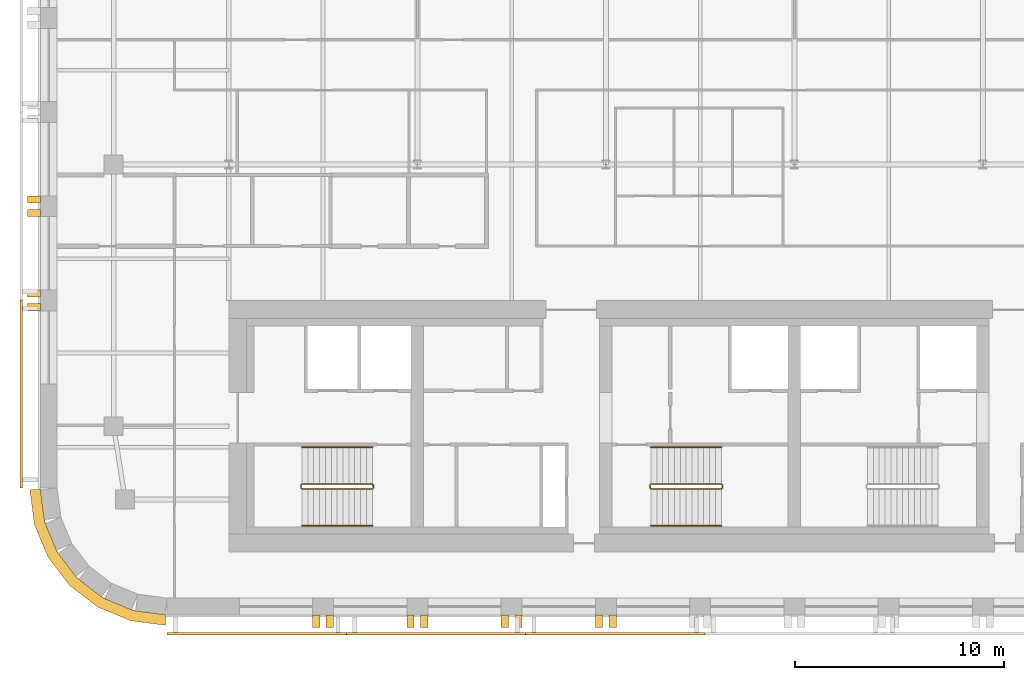
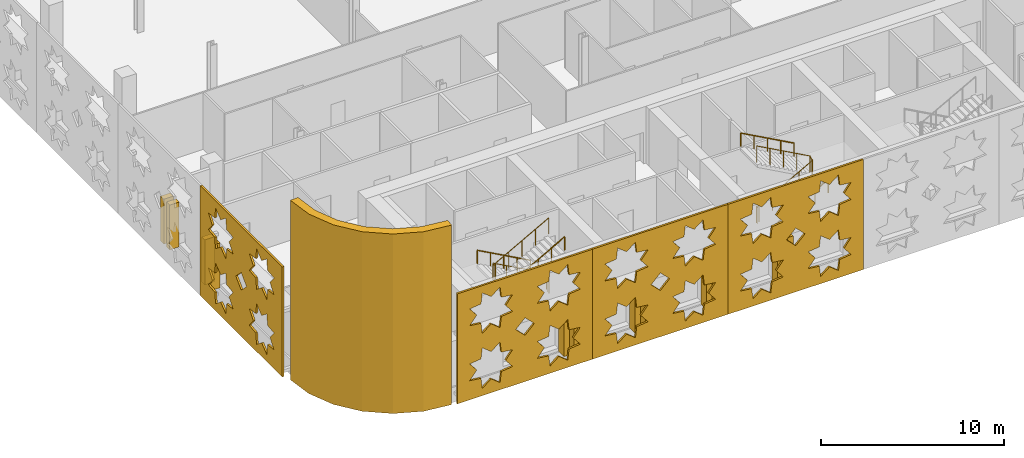
# One storey, part 10 of 14: 17 coverings, 6 railings.
"""IFC4 building model written with IfcOpenShell, lengths in metres."""

from ifc_helpers import new_model, si_unit, direction, frame, origin, origin_2d, place, context, subcontext, project, spatial, polyline, circle, outline, extrude, material, layer, layer_set, type_object, element, save


model = new_model("IFC4")

# Units and contexts
model_context = context("Model", 3, precision=1e-05, world=origin(), true_north=direction((0.0, 1.0)))
body_context = subcontext(model_context, "Body", "Model", "MODEL_VIEW")
ifc_project = project(units=[si_unit("LENGTHUNIT", "METRE"), si_unit("AREAUNIT", "SQUARE_METRE"), si_unit("VOLUMEUNIT", "CUBIC_METRE"), si_unit("PLANEANGLEUNIT", "RADIAN"), si_unit("MASSUNIT", "GRAM", prefix="KILO")], contexts=[model_context])

# Site, building, storey
site_placement = place(None, origin())
site = spatial("IfcSite", under=ifc_project, at=site_placement, CompositionType="ELEMENT")
building_placement = place(site_placement, origin())
building = spatial("IfcBuilding", under=site, at=building_placement, Name="Zellij Exchange Tower", CompositionType="ELEMENT")
storey_placement = place(building_placement, frame((0.0, 0.0, 188.5)))
storey = spatial("IfcBuildingStorey", under=building, at=storey_placement, Name="L43", CompositionType="ELEMENT", Elevation=188.5)

# Railings
ifc_material_1 = material(Name="Stainless steel", Category="steel")
railing_type_1 = type_object("IfcRailingType", Name="CORE-RG stair guard", PredefinedType="GUARDRAIL", material=ifc_material_1)
railing_1_placement = place(storey_placement, frame((-20.10009765625, -10.800048828125, 0.0)))
element("IfcRailing", 1, at=railing_1_placement, inside=storey, type_object=railing_type_1, Name="ST1 stair guard L43", PredefinedType="GUARDRAIL", context=body_context, shape_type="SweptSolid", body=[
    extrude(circle(Radius=0.02392578125, at=origin_2d()), frame((0.0, 0.0, 1.076171875), z_axis=(0.0, -1.0, 0.0), x_axis=(1.0, 0.0, 0.0)), (0.0, 0.0, 1.0), 0.14990234375),
    extrude(circle(Radius=0.02392578125, at=origin_2d()), frame((0.0, -0.14990234375, 1.076171875), z_axis=(-0.193691321961, 0.777613689637, 0.598164376644), x_axis=(-0.970351222016, -0.241699205484, 0.0)), (0.0, 0.0, 1.0), 0.257080078125),
    extrude(circle(Radius=0.02392578125, at=origin_2d()), frame((-0.0498046875, 0.050048828125, 1.22998046875), z_axis=(-0.876421534553, 0.0, 0.481544695509), x_axis=(0.0, -1.0, 0.0)), (0.0, 0.0, 1.0), 3.833984375),
    extrude(circle(Radius=0.02392578125, at=origin_2d()), frame((-3.409912109375, 0.050048828125, 3.076171875), z_axis=(-0.707106781187, -0.707106781187, 0.0), x_axis=(0.707106781187, -0.707106781187, 0.0)), (0.0, 0.0, 1.0), 0.07080078125),
    extrude(circle(Radius=0.02392578125, at=origin_2d()), frame((-3.4599609375, 0.0, 3.076171875), z_axis=(0.0, -1.0, 0.0), x_axis=(1.0, 0.0, 0.0)), (0.0, 0.0, 1.0), 0.14990234375),
    extrude(circle(Radius=0.02392578125, at=origin_2d()), frame((-3.4599609375, -0.14990234375, 3.076171875), z_axis=(0.295599637079, -0.295599637079, 0.908428152975), x_axis=(0.707106781187, 0.707106781187, 0.0)), (0.0, 0.0, 1.0), 0.16943359375),
    extrude(circle(Radius=0.02392578125, at=origin_2d()), frame((-3.409912109375, -0.199951171875, 3.22998046875), z_axis=(0.876421534553, 0.0, 0.481544695509), x_axis=(0.0, 1.0, 0.0)), (0.0, 0.0, 1.0), 3.833984375),
    extrude(circle(Radius=0.02099609375, at=origin_2d()), origin(), (0.0, 0.0, 1.0), 1.052001953125),
    extrude(circle(Radius=0.02099609375, at=origin_2d()), frame((0.0, -0.14990234375, 0.0)), (0.0, 0.0, 1.0), 1.052001953125),
    extrude(circle(Radius=0.02099609375, at=origin_2d()), frame((-0.0498046875, 0.050048828125, 0.15380859375)), (0.0, 0.0, 1.0), 1.052001953125),
    extrude(circle(Radius=0.02099609375, at=origin_2d()), frame((-0.889892578125, 0.050048828125, 0.615234375)), (0.0, 0.0, 1.0), 1.052001953125),
    extrude(circle(Radius=0.02099609375, at=origin_2d()), frame((-1.72998046875, 0.050048828125, 1.076904296875)), (0.0, 0.0, 1.0), 1.052001953125),
    extrude(circle(Radius=0.02099609375, at=origin_2d()), frame((-2.56982421875, 0.050048828125, 1.53857421875)), (0.0, 0.0, 1.0), 1.052001953125),
    extrude(circle(Radius=0.02099609375, at=origin_2d()), frame((-3.409912109375, 0.050048828125, 2.0)), (0.0, 0.0, 1.0), 1.052001953125),
    extrude(circle(Radius=0.02099609375, at=origin_2d()), frame((-3.4599609375, 0.0, 2.0)), (0.0, 0.0, 1.0), 1.052001953125),
    extrude(circle(Radius=0.02099609375, at=origin_2d()), frame((-3.4599609375, -0.14990234375, 2.0)), (0.0, 0.0, 1.0), 1.052001953125),
    extrude(circle(Radius=0.02099609375, at=origin_2d()), frame((-3.409912109375, -0.199951171875, 2.15380859375)), (0.0, 0.0, 1.0), 1.052001953125),
    extrude(circle(Radius=0.02099609375, at=origin_2d()), frame((-2.56982421875, -0.199951171875, 2.615234375)), (0.0, 0.0, 1.0), 1.052001953125),
    extrude(circle(Radius=0.02099609375, at=origin_2d()), frame((-1.72998046875, -0.199951171875, 3.076904296875)), (0.0, 0.0, 1.0), 1.052001953125),
    extrude(circle(Radius=0.02099609375, at=origin_2d()), frame((-0.889892578125, -0.199951171875, 3.53857421875)), (0.0, 0.0, 1.0), 1.052001953125),
    extrude(circle(Radius=0.02099609375, at=origin_2d()), frame((-0.0498046875, -0.199951171875, 4.0)), (0.0, 0.0, 1.0), 1.052001953125),
])
railing_2_placement = place(storey_placement, frame((-6.89990234375, -10.949951171875, 0.0)))
element("IfcRailing", 2, at=railing_2_placement, inside=storey, type_object=railing_type_1, Name="ST2 stair guard L43", PredefinedType="GUARDRAIL", context=body_context, shape_type="SweptSolid", body=[
    extrude(circle(Radius=0.02392578125, at=origin_2d()), frame((0.0, 0.0, 1.076171875), z_axis=(0.0, 1.0, 0.0), x_axis=(-1.0, 0.0, 0.0)), (0.0, 0.0, 1.0), 0.14990234375),
    extrude(circle(Radius=0.02392578125, at=origin_2d()), frame((0.0, 0.14990234375, 1.076171875), z_axis=(0.193691321961, -0.777613689637, 0.598164376644), x_axis=(0.970351222016, 0.241699205484, 0.0)), (0.0, 0.0, 1.0), 0.257080078125),
    extrude(circle(Radius=0.02392578125, at=origin_2d()), frame((0.0498046875, -0.050048828125, 1.22998046875), z_axis=(0.876421534553, 0.0, 0.481544695509), x_axis=(0.0, 1.0, 0.0)), (0.0, 0.0, 1.0), 3.833984375),
    extrude(circle(Radius=0.02392578125, at=origin_2d()), frame((3.409912109375, -0.050048828125, 3.076171875), z_axis=(0.707106781187, 0.707106781187, 0.0), x_axis=(-0.707106781187, 0.707106781187, 0.0)), (0.0, 0.0, 1.0), 0.07080078125),
    extrude(circle(Radius=0.02392578125, at=origin_2d()), frame((3.4599609375, 0.0, 3.076171875), z_axis=(0.0, 1.0, 0.0), x_axis=(-1.0, 0.0, 0.0)), (0.0, 0.0, 1.0), 0.14990234375),
    extrude(circle(Radius=0.02392578125, at=origin_2d()), frame((3.4599609375, 0.14990234375, 3.076171875), z_axis=(-0.295599637079, 0.295599637079, 0.908428152975), x_axis=(-0.707106781187, -0.707106781187, 0.0)), (0.0, 0.0, 1.0), 0.16943359375),
    extrude(circle(Radius=0.02392578125, at=origin_2d()), frame((3.409912109375, 0.199951171875, 3.22998046875), z_axis=(-0.876421534553, 0.0, 0.481544695509), x_axis=(0.0, -1.0, 0.0)), (0.0, 0.0, 1.0), 3.833984375),
    extrude(circle(Radius=0.02099609375, at=origin_2d()), origin(), (0.0, 0.0, 1.0), 1.052001953125),
    extrude(circle(Radius=0.02099609375, at=origin_2d()), frame((0.0, 0.14990234375, 0.0)), (0.0, 0.0, 1.0), 1.052001953125),
    extrude(circle(Radius=0.02099609375, at=origin_2d()), frame((0.0498046875, -0.050048828125, 0.15380859375)), (0.0, 0.0, 1.0), 1.052001953125),
    extrude(circle(Radius=0.02099609375, at=origin_2d()), frame((0.889892578125, -0.050048828125, 0.615234375)), (0.0, 0.0, 1.0), 1.052001953125),
    extrude(circle(Radius=0.02099609375, at=origin_2d()), frame((1.72998046875, -0.050048828125, 1.076904296875)), (0.0, 0.0, 1.0), 1.052001953125),
    extrude(circle(Radius=0.02099609375, at=origin_2d()), frame((2.56982421875, -0.050048828125, 1.53857421875)), (0.0, 0.0, 1.0), 1.052001953125),
    extrude(circle(Radius=0.02099609375, at=origin_2d()), frame((3.409912109375, -0.050048828125, 2.0)), (0.0, 0.0, 1.0), 1.052001953125),
    extrude(circle(Radius=0.02099609375, at=origin_2d()), frame((3.4599609375, 0.0, 2.0)), (0.0, 0.0, 1.0), 1.052001953125),
    extrude(circle(Radius=0.02099609375, at=origin_2d()), frame((3.4599609375, 0.14990234375, 2.0)), (0.0, 0.0, 1.0), 1.052001953125),
    extrude(circle(Radius=0.02099609375, at=origin_2d()), frame((3.409912109375, 0.199951171875, 2.15380859375)), (0.0, 0.0, 1.0), 1.052001953125),
    extrude(circle(Radius=0.02099609375, at=origin_2d()), frame((2.56982421875, 0.199951171875, 2.615234375)), (0.0, 0.0, 1.0), 1.052001953125),
    extrude(circle(Radius=0.02099609375, at=origin_2d()), frame((1.72998046875, 0.199951171875, 3.076904296875)), (0.0, 0.0, 1.0), 1.052001953125),
    extrude(circle(Radius=0.02099609375, at=origin_2d()), frame((0.889892578125, 0.199951171875, 3.53857421875)), (0.0, 0.0, 1.0), 1.052001953125),
    extrude(circle(Radius=0.02099609375, at=origin_2d()), frame((0.0498046875, 0.199951171875, 4.0)), (0.0, 0.0, 1.0), 1.052001953125),
])
railing_type_2 = type_object("IfcRailingType", Name="CORE-RH stair handrail", PredefinedType="HANDRAIL", material=ifc_material_1)
railing_3_placement = place(storey_placement, frame((-20.14990234375, -9.0, 0.15380859375)))
element("IfcRailing", 3, at=railing_3_placement, inside=storey, type_object=railing_type_2, Name="ST1 stair handrail L43", PredefinedType="HANDRAIL", context=body_context, shape_type="SweptSolid", body=[
    extrude(circle(Radius=0.02392578125, at=origin_2d()), frame((0.0, 0.0, 0.8759765625), z_axis=(-0.876421534553, 0.0, 0.481544695509), x_axis=(0.0, -1.0, 0.0)), (0.0, 0.0, 1.0), 3.833984375),
    extrude(circle(Radius=0.02099609375, at=origin_2d()), origin(), (0.0, 0.0, 1.0), 0.851806640625),
    extrude(circle(Radius=0.02099609375, at=origin_2d()), frame((-0.840087890625, 0.0, 0.46142578125)), (0.0, 0.0, 1.0), 0.851806640625),
    extrude(circle(Radius=0.02099609375, at=origin_2d()), frame((-1.68017578125, 0.0, 0.923095703125)), (0.0, 0.0, 1.0), 0.851806640625),
    extrude(circle(Radius=0.02099609375, at=origin_2d()), frame((-2.52001953125, 0.0, 1.384765625)), (0.0, 0.0, 1.0), 0.851806640625),
    extrude(circle(Radius=0.02099609375, at=origin_2d()), frame((-3.360107421875, 0.0, 1.84619140625)), (0.0, 0.0, 1.0), 0.851806640625),
])
for number, where, name in (
    (4, (-23.510009765625, -12.75, 2.15380859375), "ST1 stair handrail L43"),
    (5, (-6.85009765625, -12.75, 0.15380859375), "ST2 stair handrail L43"),
):
    element("IfcRailing", number, at=place(storey_placement, frame(where)), inside=storey, type_object=railing_type_2, Name=name, PredefinedType="HANDRAIL", context=body_context, shape_type="SweptSolid", body=[
        extrude(circle(Radius=0.02392578125, at=origin_2d()), frame((0.0, 0.0, 0.8759765625), z_axis=(0.876421534553, 0.0, 0.481544695509), x_axis=(0.0, 1.0, 0.0)), (0.0, 0.0, 1.0), 3.833984375),
        extrude(circle(Radius=0.02099609375, at=origin_2d()), origin(), (0.0, 0.0, 1.0), 0.851806640625),
        extrude(circle(Radius=0.02099609375, at=origin_2d()), frame((0.840087890625, 0.0, 0.46142578125)), (0.0, 0.0, 1.0), 0.851806640625),
        extrude(circle(Radius=0.02099609375, at=origin_2d()), frame((1.68017578125, 0.0, 0.923095703125)), (0.0, 0.0, 1.0), 0.851806640625),
        extrude(circle(Radius=0.02099609375, at=origin_2d()), frame((2.52001953125, 0.0, 1.384765625)), (0.0, 0.0, 1.0), 0.851806640625),
        extrude(circle(Radius=0.02099609375, at=origin_2d()), frame((3.360107421875, 0.0, 1.84619140625)), (0.0, 0.0, 1.0), 0.851806640625),
    ])
railing_4_placement = place(storey_placement, frame((-3.489990234375, -9.0, 2.15380859375)))
element("IfcRailing", 6, at=railing_4_placement, inside=storey, type_object=railing_type_2, Name="ST2 stair handrail L43", PredefinedType="HANDRAIL", context=body_context, shape_type="SweptSolid", body=[
    extrude(circle(Radius=0.02392578125, at=origin_2d()), frame((0.0, 0.0, 0.8759765625), z_axis=(-0.876421534553, 0.0, 0.481544695509), x_axis=(0.0, -1.0, 0.0)), (0.0, 0.0, 1.0), 3.833984375),
    extrude(circle(Radius=0.02099609375, at=origin_2d()), origin(), (0.0, 0.0, 1.0), 0.851806640625),
    extrude(circle(Radius=0.02099609375, at=origin_2d()), frame((-0.840087890625, 0.0, 0.46142578125)), (0.0, 0.0, 1.0), 0.851806640625),
    extrude(circle(Radius=0.02099609375, at=origin_2d()), frame((-1.68017578125, 0.0, 0.923095703125)), (0.0, 0.0, 1.0), 0.851806640625),
    extrude(circle(Radius=0.02099609375, at=origin_2d()), frame((-2.52001953125, 0.0, 1.384765625)), (0.0, 0.0, 1.0), 0.851806640625),
    extrude(circle(Radius=0.02099609375, at=origin_2d()), frame((-3.360107421875, 0.0, 1.84619140625)), (0.0, 0.0, 1.0), 0.851806640625),
])

# Coverings
ifc_material_2 = material(Name="Limestone cladding", Category="masonry")
ifc_layer_1 = layer(ifc_material_2, 0.5)
ifc_layer_set_1 = layer_set([ifc_layer_1], Name="Limestone cladding")
covering_type_1 = type_object("IfcCoveringType", Name="ENV-CV12 Stone corner pier 500", PredefinedType="CLADDING", material=ifc_layer_set_1)
covering_1_placement = place(storey_placement, origin())
element("IfcCovering", 7, at=covering_1_placement, inside=storey, type_object=covering_type_1, Name="Stone corner pier", PredefinedType="CLADDING", context=body_context, shape_type="SweptSolid", body=[
    extrude(outline(polyline([(-36.0, -11.0), (-35.795654296875, -12.552978515625), (-35.1962890625, -14.0), (-34.24267578125, -15.24267578125), (-33.0, -16.1962890625), (-31.552978515625, -16.795654296875), (-30.0, -17.0), (-30.03271484375, -17.5), (-31.683349609375, -17.28271484375), (-33.252197265625, -16.6328125), (-34.59912109375, -15.59912109375), (-35.6328125, -14.252197265625), (-36.28271484375, -12.683349609375), (-36.5, -11.03271484375), (-36.0, -11.0)])), origin(), (0.0, 0.0, 1.0), 12.0),
])
covering_type_2 = type_object("IfcCoveringType", Name="ENV-CV3 Stone pier 350x600", PredefinedType="CLADDING", material=ifc_material_2)
covering_2_placement = place(storey_placement, frame((0.0, 0.0, 0.800048828125)))
element("IfcCovering", 8, at=covering_2_placement, inside=storey, type_object=covering_type_2, Name="Stone pier", PredefinedType="CLADDING", context=body_context, shape_type="SweptSolid", body=[
    extrude(outline(polyline([(-23.0, -17.0), (-22.64990234375, -17.0), (-22.64990234375, -17.60009765625), (-23.0, -17.60009765625), (-23.0, -17.0)])), origin(), (0.0, 0.0, 1.0), 3.0),
])
covering_3_placement = place(storey_placement, frame((0.0, 0.0, 0.800048828125)))
element("IfcCovering", 9, at=covering_3_placement, inside=storey, type_object=covering_type_2, Name="Stone pier", PredefinedType="CLADDING", context=body_context, shape_type="SweptSolid", body=[
    extrude(outline(polyline([(-22.35009765625, -17.0), (-22.0, -17.0), (-22.0, -17.60009765625), (-22.35009765625, -17.60009765625), (-22.35009765625, -17.0)])), origin(), (0.0, 0.0, 1.0), 3.0),
])
covering_4_placement = place(storey_placement, frame((0.0, 0.0, 0.800048828125)))
element("IfcCovering", 10, at=covering_4_placement, inside=storey, type_object=covering_type_2, Name="Stone pier", PredefinedType="CLADDING", context=body_context, shape_type="SweptSolid", body=[
    extrude(outline(polyline([(-18.5, -17.0), (-18.14990234375, -17.0), (-18.14990234375, -17.60009765625), (-18.5, -17.60009765625), (-18.5, -17.0)])), origin(), (0.0, 0.0, 1.0), 3.0),
])
covering_5_placement = place(storey_placement, frame((0.0, 0.0, 0.800048828125)))
element("IfcCovering", 11, at=covering_5_placement, inside=storey, type_object=covering_type_2, Name="Stone pier", PredefinedType="CLADDING", context=body_context, shape_type="SweptSolid", body=[
    extrude(outline(polyline([(-17.85009765625, -17.0), (-17.5, -17.0), (-17.5, -17.60009765625), (-17.85009765625, -17.60009765625), (-17.85009765625, -17.0)])), origin(), (0.0, 0.0, 1.0), 3.0),
])
covering_6_placement = place(storey_placement, frame((0.0, 0.0, 0.800048828125)))
element("IfcCovering", 12, at=covering_6_placement, inside=storey, type_object=covering_type_2, Name="Stone pier", PredefinedType="CLADDING", context=body_context, shape_type="SweptSolid", body=[
    extrude(outline(polyline([(-14.0, -17.0), (-13.64990234375, -17.0), (-13.64990234375, -17.60009765625), (-14.0, -17.60009765625), (-14.0, -17.0)])), origin(), (0.0, 0.0, 1.0), 3.0),
])
covering_7_placement = place(storey_placement, frame((0.0, 0.0, 0.800048828125)))
element("IfcCovering", 13, at=covering_7_placement, inside=storey, type_object=covering_type_2, Name="Stone pier", PredefinedType="CLADDING", context=body_context, shape_type="SweptSolid", body=[
    extrude(outline(polyline([(-13.35009765625, -17.0), (-13.0, -17.0), (-13.0, -17.60009765625), (-13.35009765625, -17.60009765625), (-13.35009765625, -17.0)])), origin(), (0.0, 0.0, 1.0), 3.0),
])
covering_8_placement = place(storey_placement, frame((0.0, 0.0, 0.800048828125)))
element("IfcCovering", 14, at=covering_8_placement, inside=storey, type_object=covering_type_2, Name="Stone pier", PredefinedType="CLADDING", context=body_context, shape_type="SweptSolid", body=[
    extrude(outline(polyline([(-9.5, -17.0), (-9.14990234375, -17.0), (-9.14990234375, -17.60009765625), (-9.5, -17.60009765625), (-9.5, -17.0)])), origin(), (0.0, 0.0, 1.0), 3.0),
])
covering_9_placement = place(storey_placement, frame((0.0, 0.0, 0.800048828125)))
element("IfcCovering", 15, at=covering_9_placement, inside=storey, type_object=covering_type_2, Name="Stone pier", PredefinedType="CLADDING", context=body_context, shape_type="SweptSolid", body=[
    extrude(outline(polyline([(-8.85009765625, -17.0), (-8.5, -17.0), (-8.5, -17.60009765625), (-8.85009765625, -17.60009765625), (-8.85009765625, -17.0)])), origin(), (0.0, 0.0, 1.0), 3.0),
])
covering_10_placement = place(storey_placement, frame((0.0, 0.0, 0.800048828125)))
element("IfcCovering", 16, at=covering_10_placement, inside=storey, type_object=covering_type_2, Name="Stone pier", PredefinedType="CLADDING", context=body_context, shape_type="SweptSolid", body=[
    extrude(outline(polyline([(-36.0, 3.006591796875), (-36.0, 2.656494140625), (-36.60009765625, 2.656494140625), (-36.60009765625, 3.006591796875), (-36.0, 3.006591796875)])), origin(), (0.0, 0.0, 1.0), 3.0),
])
covering_11_placement = place(storey_placement, frame((0.0, 0.0, 0.800048828125)))
element("IfcCovering", 17, at=covering_11_placement, inside=storey, type_object=covering_type_2, Name="Stone pier", PredefinedType="CLADDING", context=body_context, shape_type="SweptSolid", body=[
    extrude(outline(polyline([(-36.0, 2.356689453125), (-36.0, 2.006591796875), (-36.60009765625, 2.006591796875), (-36.60009765625, 2.356689453125), (-36.0, 2.356689453125)])), origin(), (0.0, 0.0, 1.0), 3.0),
])
covering_12_placement = place(storey_placement, frame((0.0, 0.0, 0.800048828125)))
element("IfcCovering", 18, at=covering_12_placement, inside=storey, type_object=covering_type_2, Name="Stone pier", PredefinedType="CLADDING", context=body_context, shape_type="SweptSolid", body=[
    extrude(outline(polyline([(-36.0, -1.48681640625), (-36.0, -1.8369140625), (-36.60009765625, -1.8369140625), (-36.60009765625, -1.48681640625), (-36.0, -1.48681640625)])), origin(), (0.0, 0.0, 1.0), 3.0),
])
covering_13_placement = place(storey_placement, frame((0.0, 0.0, 0.800048828125)))
element("IfcCovering", 19, at=covering_13_placement, inside=storey, type_object=covering_type_2, Name="Stone pier", PredefinedType="CLADDING", context=body_context, shape_type="SweptSolid", body=[
    extrude(outline(polyline([(-36.0, -2.136962890625), (-36.0, -2.48681640625), (-36.60009765625, -2.48681640625), (-36.60009765625, -2.136962890625), (-36.0, -2.136962890625)])), origin(), (0.0, 0.0, 1.0), 3.0),
])
ifc_material_3 = material(Name="Limestone screen", Category="masonry")
ifc_layer_2 = layer(ifc_material_3, 0.1201171875)
ifc_layer_set_2 = layer_set([ifc_layer_2], Name="Limestone screen")
covering_type_3 = type_object("IfcCoveringType", Name="ENV-SC1 Pierced stone screen 120", PredefinedType="USERDEFINED", material=ifc_layer_set_2)
covering_14_placement = place(storey_placement, frame((-36.909912109375, -1.973876953125, 0.300048828125), z_axis=(0.0, 0.0, 1.0), x_axis=(0.0, -1.0, 0.0)))
element("IfcCovering", 20, at=covering_14_placement, inside=storey, type_object=covering_type_3, Name="Pierced stone screen", ObjectType="SCREEN", PredefinedType="USERDEFINED", context=body_context, shape_type="SweptSolid", body=[
    extrude(outline(polyline([(0.0, 0.0), (8.973876953125, 0.0), (8.973876953125, 7.35009765625), (0.0, 7.35009765625), (0.0, 0.0)]), holes=[polyline([(3.6015625, 2.39990234375), (2.887939453125, 2.48193359375), (2.805908203125, 3.195556640625), (2.243408203125, 2.748779296875), (1.680908203125, 3.195556640625), (1.59912109375, 2.48193359375), (0.88525390625, 2.39990234375), (1.33203125, 1.83740234375), (0.88525390625, 1.27490234375), (1.59912109375, 1.193115234375), (1.680908203125, 0.4794921875), (2.243408203125, 0.926025390625), (2.805908203125, 0.4794921875), (2.887939453125, 1.193115234375), (3.6015625, 1.27490234375), (3.15478515625, 1.83740234375), (3.6015625, 2.39990234375)]), polyline([(3.6015625, 6.074951171875), (2.887939453125, 6.156982421875), (2.805908203125, 6.87060546875), (2.243408203125, 6.423828125), (1.680908203125, 6.87060546875), (1.59912109375, 6.156982421875), (0.88525390625, 6.074951171875), (1.33203125, 5.512451171875), (0.88525390625, 4.949951171875), (1.59912109375, 4.867919921875), (1.680908203125, 4.154296875), (2.243408203125, 4.60107421875), (2.805908203125, 4.154296875), (2.887939453125, 4.867919921875), (3.6015625, 4.949951171875), (3.15478515625, 5.512451171875), (3.6015625, 6.074951171875)]), polyline([(8.08837890625, 2.39990234375), (7.374755859375, 2.48193359375), (7.29296875, 3.195556640625), (6.730224609375, 2.748779296875), (6.167724609375, 3.195556640625), (6.0859375, 2.48193359375), (5.372314453125, 2.39990234375), (5.81884765625, 1.83740234375), (5.372314453125, 1.27490234375), (6.0859375, 1.193115234375), (6.167724609375, 0.4794921875), (6.730224609375, 0.926025390625), (7.29296875, 0.4794921875), (7.374755859375, 1.193115234375), (8.08837890625, 1.27490234375), (7.6416015625, 1.83740234375), (8.08837890625, 2.39990234375)]), polyline([(8.08837890625, 6.074951171875), (7.374755859375, 6.156982421875), (7.29296875, 6.87060546875), (6.730224609375, 6.423828125), (6.167724609375, 6.87060546875), (6.0859375, 6.156982421875), (5.372314453125, 6.074951171875), (5.81884765625, 5.512451171875), (5.372314453125, 4.949951171875), (6.0859375, 4.867919921875), (6.167724609375, 4.154296875), (6.730224609375, 4.60107421875), (7.29296875, 4.154296875), (7.374755859375, 4.867919921875), (8.08837890625, 4.949951171875), (7.6416015625, 5.512451171875), (8.08837890625, 6.074951171875)]), polyline([(5.074951171875, 3.675048828125), (4.48681640625, 4.262939453125), (3.89892578125, 3.675048828125), (4.48681640625, 3.0869140625), (5.074951171875, 3.675048828125)])]), frame((0.0, 0.06005859375, 0.0), z_axis=(0.0, -1.0, 0.0), x_axis=(1.0, 0.0, 0.0)), (0.0, 0.0, 1.0), 0.1201171875),
])
covering_15_placement = place(storey_placement, frame((-29.947509765625, -17.909912109375, 0.300048828125), z_axis=(0.0, 0.0, 1.0), x_axis=(1.0, 0.0, 0.0)))
element("IfcCovering", 21, at=covering_15_placement, inside=storey, type_object=covering_type_3, Name="Pierced stone screen", ObjectType="SCREEN", PredefinedType="USERDEFINED", context=body_context, shape_type="SweptSolid", body=[
    extrude(outline(polyline([(0.0, 0.0), (8.556396484375, 0.0), (8.556396484375, 7.35009765625), (0.0, 7.35009765625), (0.0, 0.0)]), holes=[polyline([(3.497314453125, 2.39990234375), (2.78369140625, 2.48193359375), (2.70166015625, 3.195556640625), (2.13916015625, 2.748779296875), (1.57666015625, 3.195556640625), (1.49462890625, 2.48193359375), (0.781005859375, 2.39990234375), (1.227783203125, 1.83740234375), (0.781005859375, 1.27490234375), (1.49462890625, 1.193115234375), (1.57666015625, 0.4794921875), (2.13916015625, 0.926025390625), (2.70166015625, 0.4794921875), (2.78369140625, 1.193115234375), (3.497314453125, 1.27490234375), (3.050537109375, 1.83740234375), (3.497314453125, 2.39990234375)]), polyline([(3.497314453125, 6.074951171875), (2.78369140625, 6.156982421875), (2.70166015625, 6.87060546875), (2.13916015625, 6.423828125), (1.57666015625, 6.87060546875), (1.49462890625, 6.156982421875), (0.781005859375, 6.074951171875), (1.227783203125, 5.512451171875), (0.781005859375, 4.949951171875), (1.49462890625, 4.867919921875), (1.57666015625, 4.154296875), (2.13916015625, 4.60107421875), (2.70166015625, 4.154296875), (2.78369140625, 4.867919921875), (3.497314453125, 4.949951171875), (3.050537109375, 5.512451171875), (3.497314453125, 6.074951171875)]), polyline([(7.775390625, 2.39990234375), (7.061767578125, 2.48193359375), (6.97998046875, 3.195556640625), (6.417236328125, 2.748779296875), (5.854736328125, 3.195556640625), (5.77294921875, 2.48193359375), (5.05908203125, 2.39990234375), (5.505859375, 1.83740234375), (5.05908203125, 1.27490234375), (5.77294921875, 1.193115234375), (5.854736328125, 0.4794921875), (6.417236328125, 0.926025390625), (6.97998046875, 0.4794921875), (7.061767578125, 1.193115234375), (7.775390625, 1.27490234375), (7.32861328125, 1.83740234375), (7.775390625, 2.39990234375)]), polyline([(7.775390625, 6.074951171875), (7.061767578125, 6.156982421875), (6.97998046875, 6.87060546875), (6.417236328125, 6.423828125), (5.854736328125, 6.87060546875), (5.77294921875, 6.156982421875), (5.05908203125, 6.074951171875), (5.505859375, 5.512451171875), (5.05908203125, 4.949951171875), (5.77294921875, 4.867919921875), (5.854736328125, 4.154296875), (6.417236328125, 4.60107421875), (6.97998046875, 4.154296875), (7.061767578125, 4.867919921875), (7.775390625, 4.949951171875), (7.32861328125, 5.512451171875), (7.775390625, 6.074951171875)]), polyline([(4.8662109375, 3.675048828125), (4.2783203125, 4.262939453125), (3.690185546875, 3.675048828125), (4.2783203125, 3.0869140625), (4.8662109375, 3.675048828125)])]), frame((0.0, 0.06005859375, 0.0), z_axis=(0.0, -1.0, 0.0), x_axis=(1.0, 0.0, 0.0)), (0.0, 0.0, 1.0), 0.1201171875),
])
covering_16_placement = place(storey_placement, frame((-21.39111328125, -17.909912109375, 0.300048828125), z_axis=(0.0, 0.0, 1.0), x_axis=(1.0, 0.0, 0.0)))
element("IfcCovering", 22, at=covering_16_placement, inside=storey, type_object=covering_type_3, Name="Pierced stone screen", ObjectType="SCREEN", PredefinedType="USERDEFINED", context=body_context, shape_type="SweptSolid", body=[
    extrude(outline(polyline([(0.0, 0.0), (8.556396484375, 0.0), (8.556396484375, 7.35009765625), (0.0, 7.35009765625), (0.0, 0.0)]), holes=[polyline([(3.497314453125, 2.39990234375), (2.78369140625, 2.48193359375), (2.70166015625, 3.195556640625), (2.13916015625, 2.748779296875), (1.57666015625, 3.195556640625), (1.49462890625, 2.48193359375), (0.781005859375, 2.39990234375), (1.227783203125, 1.83740234375), (0.781005859375, 1.27490234375), (1.49462890625, 1.193115234375), (1.57666015625, 0.4794921875), (2.13916015625, 0.926025390625), (2.70166015625, 0.4794921875), (2.78369140625, 1.193115234375), (3.497314453125, 1.27490234375), (3.050537109375, 1.83740234375), (3.497314453125, 2.39990234375)]), polyline([(3.497314453125, 6.074951171875), (2.78369140625, 6.156982421875), (2.70166015625, 6.87060546875), (2.13916015625, 6.423828125), (1.57666015625, 6.87060546875), (1.49462890625, 6.156982421875), (0.781005859375, 6.074951171875), (1.227783203125, 5.512451171875), (0.781005859375, 4.949951171875), (1.49462890625, 4.867919921875), (1.57666015625, 4.154296875), (2.13916015625, 4.60107421875), (2.70166015625, 4.154296875), (2.78369140625, 4.867919921875), (3.497314453125, 4.949951171875), (3.050537109375, 5.512451171875), (3.497314453125, 6.074951171875)]), polyline([(7.775390625, 2.39990234375), (7.061767578125, 2.48193359375), (6.97998046875, 3.195556640625), (6.417236328125, 2.748779296875), (5.854736328125, 3.195556640625), (5.77294921875, 2.48193359375), (5.05908203125, 2.39990234375), (5.505859375, 1.83740234375), (5.05908203125, 1.27490234375), (5.77294921875, 1.193115234375), (5.854736328125, 0.4794921875), (6.417236328125, 0.926025390625), (6.97998046875, 0.4794921875), (7.061767578125, 1.193115234375), (7.775390625, 1.27490234375), (7.32861328125, 1.83740234375), (7.775390625, 2.39990234375)]), polyline([(7.775390625, 6.074951171875), (7.061767578125, 6.156982421875), (6.97998046875, 6.87060546875), (6.417236328125, 6.423828125), (5.854736328125, 6.87060546875), (5.77294921875, 6.156982421875), (5.05908203125, 6.074951171875), (5.505859375, 5.512451171875), (5.05908203125, 4.949951171875), (5.77294921875, 4.867919921875), (5.854736328125, 4.154296875), (6.417236328125, 4.60107421875), (6.97998046875, 4.154296875), (7.061767578125, 4.867919921875), (7.775390625, 4.949951171875), (7.32861328125, 5.512451171875), (7.775390625, 6.074951171875)]), polyline([(4.8662109375, 3.675048828125), (4.2783203125, 4.262939453125), (3.690185546875, 3.675048828125), (4.2783203125, 3.0869140625), (4.8662109375, 3.675048828125)])]), frame((0.0, 0.06005859375, 0.0), z_axis=(0.0, -1.0, 0.0), x_axis=(1.0, 0.0, 0.0)), (0.0, 0.0, 1.0), 0.1201171875),
])
covering_17_placement = place(storey_placement, frame((-12.834716796875, -17.909912109375, 0.300048828125), z_axis=(0.0, 0.0, 1.0), x_axis=(1.0, 0.0, 0.0)))
element("IfcCovering", 23, at=covering_17_placement, inside=storey, type_object=covering_type_3, Name="Pierced stone screen", ObjectType="SCREEN", PredefinedType="USERDEFINED", context=body_context, shape_type="SweptSolid", body=[
    extrude(outline(polyline([(0.0, 0.0), (8.556396484375, 0.0), (8.556396484375, 7.35009765625), (0.0, 7.35009765625), (0.0, 0.0)]), holes=[polyline([(3.497314453125, 2.39990234375), (2.78369140625, 2.48193359375), (2.70166015625, 3.195556640625), (2.13916015625, 2.748779296875), (1.57666015625, 3.195556640625), (1.49462890625, 2.48193359375), (0.781005859375, 2.39990234375), (1.227783203125, 1.83740234375), (0.781005859375, 1.27490234375), (1.49462890625, 1.193115234375), (1.57666015625, 0.4794921875), (2.13916015625, 0.926025390625), (2.70166015625, 0.4794921875), (2.78369140625, 1.193115234375), (3.497314453125, 1.27490234375), (3.050537109375, 1.83740234375), (3.497314453125, 2.39990234375)]), polyline([(3.497314453125, 6.074951171875), (2.78369140625, 6.156982421875), (2.70166015625, 6.87060546875), (2.13916015625, 6.423828125), (1.57666015625, 6.87060546875), (1.49462890625, 6.156982421875), (0.781005859375, 6.074951171875), (1.227783203125, 5.512451171875), (0.781005859375, 4.949951171875), (1.49462890625, 4.867919921875), (1.57666015625, 4.154296875), (2.13916015625, 4.60107421875), (2.70166015625, 4.154296875), (2.78369140625, 4.867919921875), (3.497314453125, 4.949951171875), (3.050537109375, 5.512451171875), (3.497314453125, 6.074951171875)]), polyline([(7.775390625, 2.39990234375), (7.061767578125, 2.48193359375), (6.97998046875, 3.195556640625), (6.417236328125, 2.748779296875), (5.854736328125, 3.195556640625), (5.77294921875, 2.48193359375), (5.05908203125, 2.39990234375), (5.505859375, 1.83740234375), (5.05908203125, 1.27490234375), (5.77294921875, 1.193115234375), (5.854736328125, 0.4794921875), (6.417236328125, 0.926025390625), (6.97998046875, 0.4794921875), (7.061767578125, 1.193115234375), (7.775390625, 1.27490234375), (7.32861328125, 1.83740234375), (7.775390625, 2.39990234375)]), polyline([(7.775390625, 6.074951171875), (7.061767578125, 6.156982421875), (6.97998046875, 6.87060546875), (6.417236328125, 6.423828125), (5.854736328125, 6.87060546875), (5.77294921875, 6.156982421875), (5.05908203125, 6.074951171875), (5.505859375, 5.512451171875), (5.05908203125, 4.949951171875), (5.77294921875, 4.867919921875), (5.854736328125, 4.154296875), (6.417236328125, 4.60107421875), (6.97998046875, 4.154296875), (7.061767578125, 4.867919921875), (7.775390625, 4.949951171875), (7.32861328125, 5.512451171875), (7.775390625, 6.074951171875)]), polyline([(4.8662109375, 3.675048828125), (4.2783203125, 4.262939453125), (3.690185546875, 3.675048828125), (4.2783203125, 3.0869140625), (4.8662109375, 3.675048828125)])]), frame((0.0, 0.06005859375, 0.0), z_axis=(0.0, -1.0, 0.0), x_axis=(1.0, 0.0, 0.0)), (0.0, 0.0, 1.0), 0.1201171875),
])

save(model, "model.ifc")
